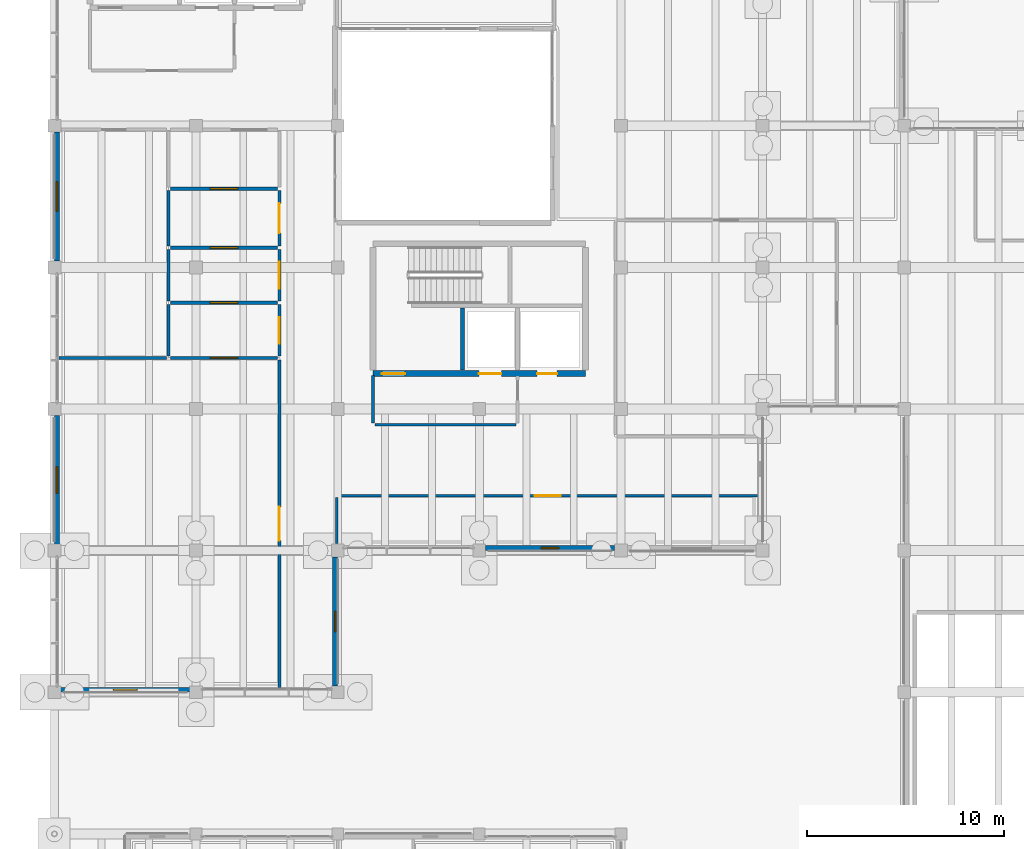
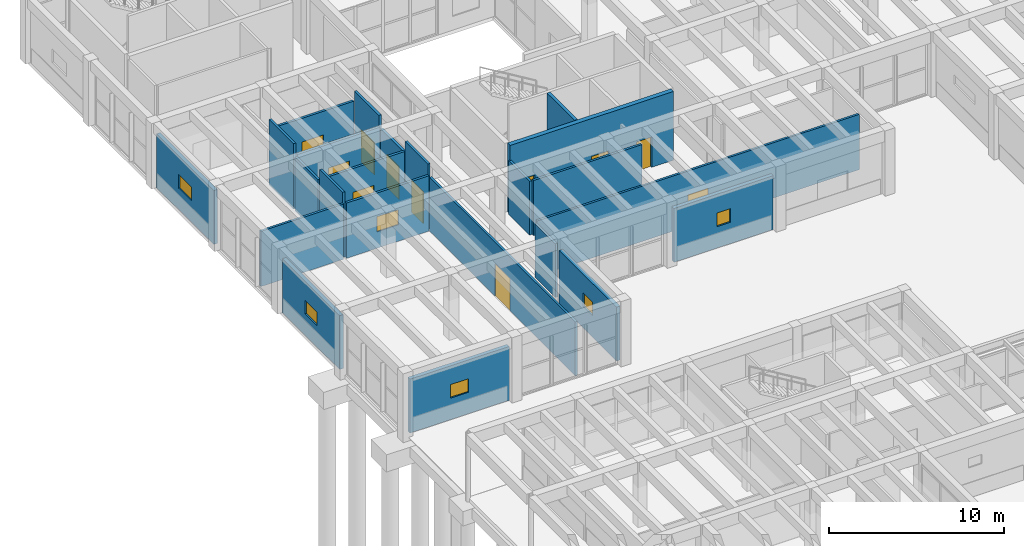
# One storey, part 122 of 155: 23 walls, 9 windows, 8 doors, 17 openings.
"""IFC4 building model written with IfcOpenShell, lengths in metres."""

from ifc_helpers import new_model, si_unit, direction, frame, frame_2d, origin, place, context, subcontext, project, spatial, rectangle, extrude, material, layer, layer_set, type_object, element, fill, save


model = new_model("IFC4")

# Units and contexts
model_context = context("Model", 3, precision=1e-05, world=origin(), true_north=direction((0.0, 1.0)))
body_context = subcontext(model_context, "Body", "Model", "MODEL_VIEW")
ifc_project = project(units=[si_unit("LENGTHUNIT", "METRE"), si_unit("AREAUNIT", "SQUARE_METRE"), si_unit("VOLUMEUNIT", "CUBIC_METRE"), si_unit("PLANEANGLEUNIT", "RADIAN"), si_unit("MASSUNIT", "GRAM", prefix="KILO")], contexts=[model_context])

# Site, building, storey
site_placement = place(None, origin())
site = spatial("IfcSite", under=ifc_project, at=site_placement, CompositionType="ELEMENT")
building_placement = place(site_placement, origin())
building = spatial("IfcBuilding", under=site, at=building_placement, Name="Bramvelor Terrace Health Centre", CompositionType="ELEMENT")
storey_placement = place(building_placement, origin())
storey = spatial("IfcBuildingStorey", under=building, at=storey_placement, Name="L01", CompositionType="ELEMENT", Elevation=0.0)

# Wall, opening, door
ifc_material_1 = material(Name="Fire-rated gypsum and mineral wool", Category="gypsum")
ifc_layer_1 = layer(ifc_material_1, 0.139892578125)
ifc_layer_set_1 = layer_set([ifc_layer_1], Name="Fire-rated gypsum and mineral wool")
wall_type_1 = type_object("IfcWallType", Name="WL-COR-140", PredefinedType="PARTITIONING", material=ifc_layer_set_1)
wall_1_placement = place(storey_placement, frame((11.43994140625, 88.89990234375, 0.0), z_axis=(0.0, 0.0, 1.0), x_axis=(0.0, -1.0, 0.0)))
wall_1 = element("IfcWall", 1, at=wall_1_placement, inside=storey, type_object=wall_type_1, Name="L01 Interior Partition 106", PredefinedType="PARTITIONING", context=body_context, shape_type="SweptSolid", body=[
    extrude(rectangle(XDim=16.669921875, YDim=0.139892578125, at=frame_2d((8.3349609375, 0.0))), origin(), (0.0, 0.0, 1.0), 3.760009765625),
])
opening_1_placement = place(wall_1_placement, frame((7.47509765625, 0.0, 0.0)))
opening_1 = element("IfcOpeningElement", 2, at=opening_1_placement, cuts=wall_1, Name="Opening FD-04", PredefinedType="OPENING", context=body_context, shape_type="SweptSolid", body=[
    extrude(rectangle(XDim=1.719970703125, YDim=2.260009765625, at=frame_2d((0.85986328125, 1.1298828125))), frame((0.0, 0.079833984375, 0.0), z_axis=(0.0, -1.0, 0.0), x_axis=(1.0, 0.0, 0.0)), (0.0, 0.0, 1.0), 0.159912109375),
])
ifc_material_2 = material(Name="Fire-rated steel and vision panel", Category="steel")
door_type_1 = type_object("IfcDoorType", Name="DR-FD90-172", OperationType="DOUBLE_DOOR_SINGLE_SWING", PredefinedType="DOOR", material=ifc_material_2)
door_1_placement = place(opening_1_placement, origin())
door_1 = element("IfcDoor", 3, at=door_1_placement, inside=storey, type_object=door_type_1, Name="L01 General Practice Consultation Suite 1 Fire Door", OperationType="DOUBLE_DOOR_SINGLE_SWING", OverallHeight=2.260009765625, OverallWidth=1.719970703125, PredefinedType="DOOR", context=body_context, shape_type="SweptSolid", body=[
    extrude(rectangle(XDim=1.719970703125, YDim=2.260009765625, at=frame_2d((0.85986328125, 1.1298828125))), frame((0.0, 0.02490234375, 0.0), z_axis=(0.0, -1.0, 0.0), x_axis=(1.0, 0.0, 0.0)), (0.0, 0.0, 1.0), 0.050048828125),
])
fill(opening_1, door_1)

# Wall
wall_2_placement = place(storey_placement, frame((14.35205078125, 79.550048828125, 0.0), z_axis=(0.0, 0.0, 1.0), x_axis=(0.0, 1.0, 0.0)))
element("IfcWall", 4, at=wall_2_placement, inside=storey, type_object=wall_type_1, Name="L01 Interior Partition 107", PredefinedType="PARTITIONING", context=body_context, shape_type="SweptSolid", body=[
    extrude(rectangle(XDim=2.349853515625, YDim=0.139892578125, at=frame_2d((1.1748046875, 0.0))), origin(), (0.0, 0.0, 1.0), 3.760009765625),
])

# Wall, opening, door
wall_3_placement = place(storey_placement, frame((14.44189453125, 81.989990234375, 0.0), z_axis=(0.0, 0.0, 1.0), x_axis=(1.0, 0.0, 0.0)))
wall_3 = element("IfcWall", 5, at=wall_3_placement, inside=storey, type_object=wall_type_1, Name="L01 Interior Partition 108", PredefinedType="PARTITIONING", context=body_context, shape_type="SweptSolid", body=[
    extrude(rectangle(XDim=21.293212890625, YDim=0.139892578125, at=frame_2d((10.646484375, 0.0))), origin(), (0.0, 0.0, 1.0), 3.860107421875),
])
opening_2_placement = place(wall_3_placement, frame((9.986572265625, 0.0, 0.0)))
opening_2 = element("IfcOpeningElement", 6, at=opening_2_placement, cuts=wall_3, Name="Opening FD-05", PredefinedType="OPENING", context=body_context, shape_type="SweptSolid", body=[
    extrude(rectangle(XDim=1.320068359375, YDim=2.199951171875, at=frame_2d((0.66015625, 1.10009765625))), frame((0.0, 0.079833984375, 0.0), z_axis=(0.0, -1.0, 0.0), x_axis=(1.0, 0.0, 0.0)), (0.0, 0.0, 1.0), 0.159912109375),
])
ifc_material_3 = material(Name="Fire-rated steel and vision panel", Category="steel")
door_type_2 = type_object("IfcDoorType", Name="DR-FD60-132", OperationType="NOTDEFINED", PredefinedType="DOOR", material=ifc_material_3)
door_2_placement = place(opening_2_placement, origin())
door_2 = element("IfcDoor", 7, at=door_2_placement, inside=storey, type_object=door_type_2, Name="L01 Family Medicine Treatment Room Fire Door", OperationType="SINGLE_SWING_LEFT", OverallHeight=2.199951171875, OverallWidth=1.320068359375, PredefinedType="DOOR", context=body_context, shape_type="SweptSolid", body=[
    extrude(rectangle(XDim=1.320068359375, YDim=2.199951171875, at=frame_2d((0.66015625, 1.10009765625))), frame((0.0, 0.02490234375, 0.0), z_axis=(0.0, -1.0, 0.0), x_axis=(1.0, 0.0, 0.0)), (0.0, 0.0, 1.0), 0.050048828125),
])
fill(opening_2, door_2)

# Wall
ifc_material_4 = material(Name="Concrete C40/50", Category="concrete")
ifc_layer_2 = layer(ifc_material_4, 0.199951171875)
ifc_layer_set_2 = layer_set([ifc_layer_2], Name="Concrete C40/50")
wall_type_2 = type_object("IfcWallType", Name="WL-CORE-200", PredefinedType="SHEAR", material=ifc_layer_set_2)
wall_4_placement = place(storey_placement, frame((20.75, 88.3798828125, 0.0), z_axis=(0.0, 0.0, 1.0), x_axis=(0.0, 1.0, 0.0)))
element("IfcWall", 8, at=wall_4_placement, inside=storey, type_object=wall_type_2, Name="C2 L01 Core Shear Wall", PredefinedType="SHEAR", context=body_context, shape_type="SweptSolid", body=[
    extrude(rectangle(XDim=3.150146484375, YDim=0.199951171875, at=frame_2d((1.5751953125, 0.0))), origin(), (0.0, 0.0, 1.0), 4.800048828125),
])

# Wall, openings, doors
ifc_material_5 = material(Name="Concrete C40/50", Category="concrete")
ifc_layer_3 = layer(ifc_material_5, 0.300048828125)
ifc_layer_set_3 = layer_set([ifc_layer_3], Name="Concrete C40/50")
wall_type_3 = type_object("IfcWallType", Name="WL-CORE-300", PredefinedType="SHEAR", material=ifc_layer_set_3)
wall_5_placement = place(storey_placement, frame((16.199951171875, 88.199951171875, 0.0), z_axis=(0.0, 0.0, 1.0), x_axis=(1.0, 0.0, 0.0)))
wall_5 = element("IfcWall", 9, at=wall_5_placement, inside=storey, type_object=wall_type_3, Name="C2 L01 Core Shear Wall", PredefinedType="SHEAR", context=body_context, shape_type="SweptSolid", body=[
    extrude(rectangle(XDim=10.800048828125, YDim=0.300048828125, at=frame_2d((5.39990234375, 0.0))), origin(), (0.0, 0.0, 1.0), 4.800048828125),
])
opening_3_placement = place(wall_5_placement, frame((0.449951171875, 0.0, 0.0)))
opening_3 = element("IfcOpeningElement", 10, at=opening_3_placement, cuts=wall_5, Name="Opening FD-02", PredefinedType="OPENING", context=body_context, shape_type="SweptSolid", body=[
    extrude(rectangle(XDim=1.179931640625, YDim=2.159912109375, at=frame_2d((0.58984375, 1.080078125))), frame((0.0, 0.159912109375, 0.0), z_axis=(0.0, -1.0, 0.0), x_axis=(1.0, 0.0, 0.0)), (0.0, 0.0, 1.0), 0.320068359375),
])
opening_4_placement = place(wall_5_placement, frame((5.375, 0.0, 0.0)))
opening_4 = element("IfcOpeningElement", 11, at=opening_4_placement, cuts=wall_5, Name="Opening LD-1", PredefinedType="OPENING", context=body_context, shape_type="SweptSolid", body=[
    extrude(rectangle(XDim=1.14990234375, YDim=2.14990234375, at=frame_2d((0.574951171875, 1.074951171875))), frame((0.0, 0.159912109375, 0.0), z_axis=(0.0, -1.0, 0.0), x_axis=(1.0, 0.0, 0.0)), (0.0, 0.0, 1.0), 0.320068359375),
])
opening_5_placement = place(wall_5_placement, frame((8.340087890625, 0.0, 0.0)))
opening_5 = element("IfcOpeningElement", 12, at=opening_5_placement, cuts=wall_5, Name="Opening LD-2", PredefinedType="OPENING", context=body_context, shape_type="SweptSolid", body=[
    extrude(rectangle(XDim=1.02001953125, YDim=2.1201171875, at=frame_2d((0.510009765625, 1.06005859375))), frame((0.0, 0.159912109375, 0.0), z_axis=(0.0, -1.0, 0.0), x_axis=(1.0, 0.0, 0.0)), (0.0, 0.0, 1.0), 0.320068359375),
])
ifc_material_6 = material(Name="Fire-rated steel and vision panel", Category="steel")
door_type_3 = type_object("IfcDoorType", Name="DR-FD90-118", OperationType="NOTDEFINED", PredefinedType="DOOR", material=ifc_material_6)
door_3_placement = place(opening_3_placement, origin())
door_3 = element("IfcDoor", 13, at=door_3_placement, inside=storey, type_object=door_type_3, Name="C2 L01 Core Stair Fire Door", OperationType="SINGLE_SWING_LEFT", OverallHeight=2.159912109375, OverallWidth=1.179931640625, PredefinedType="DOOR", context=body_context, shape_type="SweptSolid", body=[
    extrude(rectangle(XDim=1.179931640625, YDim=2.159912109375, at=frame_2d((0.58984375, 1.080078125))), frame((0.0, 0.02490234375, 0.0), z_axis=(0.0, -1.0, 0.0), x_axis=(1.0, 0.0, 0.0)), (0.0, 0.0, 1.0), 0.050048828125),
])
fill(opening_3, door_3)
ifc_material_7 = material(Name="Brushed stainless steel 316", Category="steel")
door_type_4 = type_object("IfcDoorType", Name="DR-LIFT-FF115", OperationType="DOUBLE_DOOR_SLIDING", PredefinedType="DOOR", material=ifc_material_7)
door_4_placement = place(opening_4_placement, origin())
door_4 = element("IfcDoor", 14, at=door_4_placement, inside=storey, type_object=door_type_4, Name="Lift LF-02 L01 Sliding Landing Door", OperationType="DOUBLE_DOOR_SLIDING", OverallHeight=2.14990234375, OverallWidth=1.14990234375, PredefinedType="DOOR", context=body_context, shape_type="SweptSolid", body=[
    extrude(rectangle(XDim=1.14990234375, YDim=2.14990234375, at=frame_2d((0.574951171875, 1.074951171875))), frame((0.0, 0.02490234375, 0.0), z_axis=(0.0, -1.0, 0.0), x_axis=(1.0, 0.0, 0.0)), (0.0, 0.0, 1.0), 0.050048828125),
])
fill(opening_4, door_4)
ifc_material_8 = material(Name="Brushed stainless steel 316", Category="steel")
door_type_5 = type_object("IfcDoorType", Name="DR-LIFT-PS102", OperationType="SLIDING_TO_LEFT", PredefinedType="DOOR", material=ifc_material_8)
door_5_placement = place(opening_5_placement, origin())
door_5 = element("IfcDoor", 15, at=door_5_placement, inside=storey, type_object=door_type_5, Name="Lift LP-02 L01 Sliding Landing Door", OperationType="SLIDING_TO_LEFT", OverallHeight=2.1201171875, OverallWidth=1.02001953125, PredefinedType="DOOR", context=body_context, shape_type="SweptSolid", body=[
    extrude(rectangle(XDim=1.02001953125, YDim=2.1201171875, at=frame_2d((0.510009765625, 1.06005859375))), frame((0.0, 0.02490234375, 0.0), z_axis=(0.0, -1.0, 0.0), x_axis=(1.0, 0.0, 0.0)), (0.0, 0.0, 1.0), 0.050048828125),
])
fill(opening_5, door_5)

# Wall, opening, window
ifc_material_9 = material(Name="Precast concrete C40/50", Category="concrete")
ifc_layer_4 = layer(ifc_material_9, 0.25)
ifc_layer_set_4 = layer_set([ifc_layer_4], Name="Precast concrete C40/50")
wall_type_4 = type_object("IfcWallType", Name="WL-EXT-RC250", PredefinedType="SOLIDWALL", material=ifc_layer_set_4)
wall_6_placement = place(storey_placement, frame((28.47998046875, 79.330078125, 0.0), z_axis=(0.0, 0.0, 1.0), x_axis=(-1.0, 0.0, 0.0)))
wall_6 = element("IfcWall", 16, at=wall_6_placement, inside=storey, type_object=wall_type_4, Name="L01 Exterior Facade Wall 31", PredefinedType="SOLIDWALL", context=body_context, shape_type="SweptSolid", body=[
    extrude(rectangle(XDim=6.56005859375, YDim=0.25, at=frame_2d((3.280029296875, 0.0))), origin(), (0.0, 0.0, 1.0), 3.760009765625),
])
opening_6_placement = place(wall_6_placement, frame((2.830078125, 0.0, 1.5)))
opening_6 = element("IfcOpeningElement", 17, at=opening_6_placement, cuts=wall_6, Name="Opening WN-14", PredefinedType="OPENING", context=body_context, shape_type="SweptSolid", body=[
    extrude(rectangle(XDim=0.89990234375, YDim=0.949951171875, at=frame_2d((0.449951171875, 0.47509765625))), frame((0.0, 0.135009765625, 0.0), z_axis=(0.0, -1.0, 0.0), x_axis=(1.0, 0.0, 0.0)), (0.0, 0.0, 1.0), 0.27001953125),
])
ifc_material_10 = material(Name="Double low-E laminated glass", Category="glass")
window_type_1 = type_object("IfcWindowType", Name="WIN-EXT-14", PartitioningType="SINGLE_PANEL", PredefinedType="WINDOW", material=ifc_material_10)
window_1_placement = place(opening_6_placement, origin())
window_1 = element("IfcWindow", 18, at=window_1_placement, inside=storey, type_object=window_type_1, Name="L01 Scheduled Clinical Window 14", OverallHeight=0.949951171875, OverallWidth=0.89990234375, PartitioningType="SINGLE_PANEL", PredefinedType="WINDOW", context=body_context, shape_type="SweptSolid", body=[
    extrude(rectangle(XDim=0.89990234375, YDim=0.949951171875, at=frame_2d((0.449951171875, 0.47509765625))), frame((0.0, 0.030029296875, 0.0), z_axis=(0.0, -1.0, 0.0), x_axis=(1.0, 0.0, 0.0)), (0.0, 0.0, 1.0), 0.06005859375),
])
fill(opening_6, window_1)

wall_7_placement = place(storey_placement, frame((14.27001953125, 78.8798828125, 0.0), z_axis=(0.0, 0.0, 1.0), x_axis=(0.0, -1.0, 0.0)))
wall_7 = element("IfcWall", 19, at=wall_7_placement, inside=storey, type_object=wall_type_4, Name="L01 Exterior Facade Wall 33", PredefinedType="SOLIDWALL", context=body_context, shape_type="SweptSolid", body=[
    extrude(rectangle(XDim=6.559814453125, YDim=0.25, at=frame_2d((3.27978515625, 0.0))), origin(), (0.0, 0.0, 1.0), 3.760009765625),
])
opening_7_placement = place(wall_7_placement, frame((2.7548828125, 0.0, 1.5)))
opening_7 = element("IfcOpeningElement", 20, at=opening_7_placement, cuts=wall_7, Name="Opening WN-15", PredefinedType="OPENING", context=body_context, shape_type="SweptSolid", body=[
    extrude(rectangle(XDim=1.050048828125, YDim=0.949951171875, at=frame_2d((0.52490234375, 0.47509765625))), frame((0.0, 0.135009765625, 0.0), z_axis=(0.0, -1.0, 0.0), x_axis=(1.0, 0.0, 0.0)), (0.0, 0.0, 1.0), 0.27001953125),
])
ifc_material_11 = material(Name="Double low-E laminated glass", Category="glass")
window_type_2 = type_object("IfcWindowType", Name="WIN-EXT-15", PartitioningType="SINGLE_PANEL", PredefinedType="WINDOW", material=ifc_material_11)
window_2_placement = place(opening_7_placement, origin())
window_2 = element("IfcWindow", 21, at=window_2_placement, inside=storey, type_object=window_type_2, Name="L01 Scheduled Clinical Window 15", OverallHeight=0.949951171875, OverallWidth=1.050048828125, PartitioningType="SINGLE_PANEL", PredefinedType="WINDOW", context=body_context, shape_type="SweptSolid", body=[
    extrude(rectangle(XDim=1.050048828125, YDim=0.949951171875, at=frame_2d((0.52490234375, 0.47509765625))), frame((0.0, 0.030029296875, 0.0), z_axis=(0.0, -1.0, 0.0), x_axis=(1.0, 0.0, 0.0)), (0.0, 0.0, 1.0), 0.06005859375),
])
fill(opening_7, window_2)

wall_8_placement = place(storey_placement, frame((6.8798828125, 72.1298828125, 0.0), z_axis=(0.0, 0.0, 1.0), x_axis=(-1.0, 0.0, 0.0)))
wall_8 = element("IfcWall", 22, at=wall_8_placement, inside=storey, type_object=wall_type_4, Name="L01 Exterior Facade Wall 35", PredefinedType="SOLIDWALL", context=body_context, shape_type="SweptSolid", body=[
    extrude(rectangle(XDim=6.559814453125, YDim=0.25, at=frame_2d((3.27978515625, 0.0))), origin(), (0.0, 0.0, 1.0), 3.760009765625),
])
opening_8_placement = place(wall_8_placement, frame((2.679931640625, 0.0, 1.5)))
opening_8 = element("IfcOpeningElement", 23, at=opening_8_placement, cuts=wall_8, Name="Opening WN-16", PredefinedType="OPENING", context=body_context, shape_type="SweptSolid", body=[
    extrude(rectangle(XDim=1.199951171875, YDim=0.949951171875, at=frame_2d((0.60009765625, 0.47509765625))), frame((0.0, 0.135009765625, 0.0), z_axis=(0.0, -1.0, 0.0), x_axis=(1.0, 0.0, 0.0)), (0.0, 0.0, 1.0), 0.27001953125),
])
ifc_material_12 = material(Name="Double low-E laminated glass", Category="glass")
window_type_3 = type_object("IfcWindowType", Name="WIN-EXT-16", PartitioningType="SINGLE_PANEL", PredefinedType="WINDOW", material=ifc_material_12)
window_3_placement = place(opening_8_placement, origin())
window_3 = element("IfcWindow", 24, at=window_3_placement, inside=storey, type_object=window_type_3, Name="L01 Scheduled Clinical Window 16", OverallHeight=0.949951171875, OverallWidth=1.199951171875, PartitioningType="SINGLE_PANEL", PredefinedType="WINDOW", context=body_context, shape_type="SweptSolid", body=[
    extrude(rectangle(XDim=1.199951171875, YDim=0.949951171875, at=frame_2d((0.60009765625, 0.47509765625))), frame((0.0, 0.030029296875, 0.0), z_axis=(0.0, -1.0, 0.0), x_axis=(1.0, 0.0, 0.0)), (0.0, 0.0, 1.0), 0.06005859375),
])
fill(opening_8, window_3)

wall_9_placement = place(storey_placement, frame((0.1298828125, 79.52001953125, 0.0), z_axis=(0.0, 0.0, 1.0), x_axis=(0.0, 1.0, 0.0)))
wall_9 = element("IfcWall", 25, at=wall_9_placement, inside=storey, type_object=wall_type_4, Name="L01 Exterior Facade Wall 37", PredefinedType="SOLIDWALL", context=body_context, shape_type="SweptSolid", body=[
    extrude(rectangle(XDim=6.56005859375, YDim=0.25, at=frame_2d((3.280029296875, 0.0))), origin(), (0.0, 0.0, 1.0), 3.760009765625),
])
opening_9_placement = place(wall_9_placement, frame((2.60498046875, 0.0, 1.5)))
opening_9 = element("IfcOpeningElement", 26, at=opening_9_placement, cuts=wall_9, Name="Opening WN-17", PredefinedType="OPENING", context=body_context, shape_type="SweptSolid", body=[
    extrude(rectangle(XDim=1.35009765625, YDim=0.949951171875, at=frame_2d((0.675048828125, 0.47509765625))), frame((0.0, 0.135009765625, 0.0), z_axis=(0.0, -1.0, 0.0), x_axis=(1.0, 0.0, 0.0)), (0.0, 0.0, 1.0), 0.27001953125),
])
ifc_material_13 = material(Name="Double low-E laminated glass", Category="glass")
window_type_4 = type_object("IfcWindowType", Name="WIN-EXT-17", PartitioningType="SINGLE_PANEL", PredefinedType="WINDOW", material=ifc_material_13)
window_4_placement = place(opening_9_placement, origin())
window_4 = element("IfcWindow", 27, at=window_4_placement, inside=storey, type_object=window_type_4, Name="L01 Scheduled Clinical Window 17", OverallHeight=0.949951171875, OverallWidth=1.35009765625, PartitioningType="SINGLE_PANEL", PredefinedType="WINDOW", context=body_context, shape_type="SweptSolid", body=[
    extrude(rectangle(XDim=1.35009765625, YDim=0.949951171875, at=frame_2d((0.675048828125, 0.47509765625))), frame((0.0, 0.030029296875, 0.0), z_axis=(0.0, -1.0, 0.0), x_axis=(1.0, 0.0, 0.0)), (0.0, 0.0, 1.0), 0.06005859375),
])
fill(opening_9, window_4)

wall_10_placement = place(storey_placement, frame((0.1298828125, 93.919921875, 0.0), z_axis=(0.0, 0.0, 1.0), x_axis=(0.0, 1.0, 0.0)))
wall_10 = element("IfcWall", 28, at=wall_10_placement, inside=storey, type_object=wall_type_4, Name="L01 Exterior Facade Wall 39", PredefinedType="SOLIDWALL", context=body_context, shape_type="SweptSolid", body=[
    extrude(rectangle(XDim=6.56005859375, YDim=0.25, at=frame_2d((3.280029296875, 0.0))), origin(), (0.0, 0.0, 1.0), 3.760009765625),
])
opening_10_placement = place(wall_10_placement, frame((2.530029296875, 0.0, 1.5)))
opening_10 = element("IfcOpeningElement", 29, at=opening_10_placement, cuts=wall_10, Name="Opening WN-18", PredefinedType="OPENING", context=body_context, shape_type="SweptSolid", body=[
    extrude(rectangle(XDim=1.5, YDim=0.949951171875, at=frame_2d((0.75, 0.47509765625))), frame((0.0, 0.135009765625, 0.0), z_axis=(0.0, -1.0, 0.0), x_axis=(1.0, 0.0, 0.0)), (0.0, 0.0, 1.0), 0.27001953125),
])
ifc_material_14 = material(Name="Double low-E laminated glass", Category="glass")
window_type_5 = type_object("IfcWindowType", Name="WIN-EXT-18", PartitioningType="SINGLE_PANEL", PredefinedType="WINDOW", material=ifc_material_14)
window_5_placement = place(opening_10_placement, origin())
window_5 = element("IfcWindow", 30, at=window_5_placement, inside=storey, type_object=window_type_5, Name="L01 Scheduled Clinical Window 18", OverallHeight=0.949951171875, OverallWidth=1.5, PartitioningType="SINGLE_PANEL", PredefinedType="WINDOW", context=body_context, shape_type="SweptSolid", body=[
    extrude(rectangle(XDim=1.5, YDim=0.949951171875, at=frame_2d((0.75, 0.47509765625))), frame((0.0, 0.030029296875, 0.0), z_axis=(0.0, -1.0, 0.0), x_axis=(1.0, 0.0, 0.0)), (0.0, 0.0, 1.0), 0.06005859375),
])
fill(opening_10, window_5)

# Walls
ifc_material_15 = material(Name="Fire-rated gypsum and mineral wool", Category="gypsum")
ifc_layer_5 = layer(ifc_material_15, 0.14990234375)
ifc_layer_set_5 = layer_set([ifc_layer_5], Name="Fire-rated gypsum and mineral wool")
wall_type_5 = type_object("IfcWallType", Name="WL-FIR-150", PredefinedType="PARTITIONING", material=ifc_layer_set_5)
wall_11_placement = place(storey_placement, frame((16.199951171875, 85.68994140625, 0.0), z_axis=(0.0, 0.0, 1.0), x_axis=(0.0, 1.0, 0.0)))
element("IfcWall", 31, at=wall_11_placement, inside=storey, type_object=wall_type_5, Name="L01 Interior Partition 49", PredefinedType="PARTITIONING", context=body_context, shape_type="SweptSolid", body=[
    extrude(rectangle(XDim=2.4150390625, YDim=0.14990234375, at=frame_2d((1.20751953125, 0.0))), origin(), (0.0, 0.0, 1.0), 3.760009765625),
])
wall_12_placement = place(storey_placement, frame((23.4599609375, 85.60009765625, 0.0), z_axis=(0.0, 0.0, 1.0), x_axis=(-1.0, 0.0, 0.0)))
element("IfcWall", 32, at=wall_12_placement, inside=storey, type_object=wall_type_5, Name="L01 Interior Partition 51", PredefinedType="PARTITIONING", context=body_context, shape_type="SweptSolid", body=[
    extrude(rectangle(XDim=7.169921875, YDim=0.14990234375, at=frame_2d((3.5849609375, 0.0))), origin(), (0.0, 0.0, 1.0), 3.860107421875),
])
wall_13_placement = place(storey_placement, frame((5.800048828125, 94.68994140625, 0.0), z_axis=(0.0, 0.0, 1.0), x_axis=(0.0, 1.0, 0.0)))
element("IfcWall", 33, at=wall_13_placement, inside=storey, type_object=wall_type_5, Name="L01 Interior Partition 68", PredefinedType="PARTITIONING", context=body_context, shape_type="SweptSolid", body=[
    extrude(rectangle(XDim=2.81005859375, YDim=0.14990234375, at=frame_2d((1.405029296875, 0.0))), origin(), (0.0, 0.0, 1.0), 4.570068359375),
])
wall_14_placement = place(storey_placement, frame((5.800048828125, 91.889892578125, 0.0), z_axis=(0.0, 0.0, 1.0), x_axis=(0.0, 1.0, 0.0)))
element("IfcWall", 34, at=wall_14_placement, inside=storey, type_object=wall_type_5, Name="L01 Interior Partition 71", PredefinedType="PARTITIONING", context=body_context, shape_type="SweptSolid", body=[
    extrude(rectangle(XDim=2.610107421875, YDim=0.14990234375, at=frame_2d((1.30517578125, 0.0))), origin(), (0.0, 0.0, 1.0), 3.760009765625),
])
wall_15_placement = place(storey_placement, frame((5.800048828125, 89.090087890625, 0.0), z_axis=(0.0, 0.0, 1.0), x_axis=(0.0, 1.0, 0.0)))
element("IfcWall", 35, at=wall_15_placement, inside=storey, type_object=wall_type_5, Name="L01 Interior Partition 74", PredefinedType="PARTITIONING", context=body_context, shape_type="SweptSolid", body=[
    extrude(rectangle(XDim=2.60986328125, YDim=0.14990234375, at=frame_2d((1.304931640625, 0.0))), origin(), (0.0, 0.0, 1.0), 4.570068359375),
])
wall_16_placement = place(storey_placement, frame((5.699951171875, 89.0, 0.0), z_axis=(0.0, 0.0, 1.0), x_axis=(-1.0, 0.0, 0.0)))
element("IfcWall", 36, at=wall_16_placement, inside=storey, type_object=wall_type_5, Name="L01 Interior Partition 76", PredefinedType="PARTITIONING", context=body_context, shape_type="SweptSolid", body=[
    extrude(rectangle(XDim=5.469970703125, YDim=0.14990234375, at=frame_2d((2.73486328125, 0.0))), origin(), (0.0, 0.0, 1.0), 3.860107421875),
])

# Wall, opening, window
ifc_material_16 = material(Name="Moisture-resistant service chase board", Category="gypsum")
ifc_layer_6 = layer(ifc_material_16, 0.159912109375)
ifc_layer_set_6 = layer_set([ifc_layer_6], Name="Moisture-resistant service chase board")
wall_type_6 = type_object("IfcWallType", Name="WL-PLM-160", PredefinedType="PLUMBINGWALL", material=ifc_layer_set_6)
wall_17_placement = place(storey_placement, frame((11.35009765625, 97.60009765625, 0.0), z_axis=(0.0, 0.0, 1.0), x_axis=(-1.0, 0.0, 0.0)))
wall_17 = element("IfcWall", 37, at=wall_17_placement, inside=storey, type_object=wall_type_6, Name="L01 Interior Partition 64", PredefinedType="PLUMBINGWALL", context=body_context, shape_type="SweptSolid", body=[
    extrude(rectangle(XDim=5.460205078125, YDim=0.159912109375, at=frame_2d((2.72998046875, 0.0))), origin(), (0.0, 0.0, 1.0), 3.860107421875),
])
opening_11_placement = place(wall_17_placement, frame((2.030029296875, 0.0, 1.14990234375)))
opening_11 = element("IfcOpeningElement", 38, at=opening_11_placement, cuts=wall_17, Name="Opening IWN-1", PredefinedType="OPENING", context=body_context, shape_type="SweptSolid", body=[
    extrude(rectangle(XDim=1.39990234375, YDim=1.050048828125, at=frame_2d((0.699951171875, 0.52490234375))), frame((0.0, 0.08984375, 0.0), z_axis=(0.0, -1.0, 0.0), x_axis=(1.0, 0.0, 0.0)), (0.0, 0.0, 1.0), 0.179931640625),
])
ifc_material_17 = material(Name="Acoustic laminated observation glass", Category="glass")
window_type_6 = type_object("IfcWindowType", Name="WIN-INT-OBS140", PartitioningType="SINGLE_PANEL", PredefinedType="WINDOW", material=ifc_material_17)
window_6_placement = place(opening_11_placement, origin())
window_6 = element("IfcWindow", 39, at=window_6_placement, inside=storey, type_object=window_type_6, Name="L01 Clinical Observation Window 5", OverallHeight=1.050048828125, OverallWidth=1.39990234375, PartitioningType="SINGLE_PANEL", PredefinedType="WINDOW", context=body_context, shape_type="SweptSolid", body=[
    extrude(rectangle(XDim=1.39990234375, YDim=1.050048828125, at=frame_2d((0.699951171875, 0.52490234375))), frame((0.0, 0.030029296875, 0.0), z_axis=(0.0, -1.0, 0.0), x_axis=(1.0, 0.0, 0.0)), (0.0, 0.0, 1.0), 0.06005859375),
])
fill(opening_11, window_6)

# Wall, opening, door
wall_18_placement = place(storey_placement, frame((11.43994140625, 97.5, 0.0), z_axis=(0.0, 0.0, 1.0), x_axis=(0.0, -1.0, 0.0)))
wall_18 = element("IfcWall", 40, at=wall_18_placement, inside=storey, type_object=wall_type_6, Name="L01 Interior Partition 66", PredefinedType="PLUMBINGWALL", context=body_context, shape_type="SweptSolid", body=[
    extrude(rectangle(XDim=2.81005859375, YDim=0.159912109375, at=frame_2d((1.405029296875, 0.0))), origin(), (0.0, 0.0, 1.0), 4.570068359375),
])
opening_12_placement = place(wall_18_placement, frame((0.64501953125, 0.0, 0.0)))
opening_12 = element("IfcOpeningElement", 41, at=opening_12_placement, cuts=wall_18, Name="Opening ID-DB3", PredefinedType="OPENING", context=body_context, shape_type="SweptSolid", body=[
    extrude(rectangle(XDim=1.52001953125, YDim=2.260009765625, at=frame_2d((0.760009765625, 1.1298828125))), frame((0.0, 0.08984375, 0.0), z_axis=(0.0, -1.0, 0.0), x_axis=(1.0, 0.0, 0.0)), (0.0, 0.0, 1.0), 0.179931640625),
])
ifc_material_18 = material(Name="Solid-core acoustic timber laminate", Category="wood")
door_type_6 = type_object("IfcDoorType", Name="DR-DBL-152", OperationType="DOUBLE_DOOR_SINGLE_SWING", PredefinedType="DOOR", material=ifc_material_18)
door_6_placement = place(opening_12_placement, origin())
door_6 = element("IfcDoor", 42, at=door_6_placement, inside=storey, type_object=door_type_6, Name="L01 Accessible Female WC Clinical Door", OperationType="DOUBLE_DOOR_SINGLE_SWING", OverallHeight=2.260009765625, OverallWidth=1.52001953125, PredefinedType="DOOR", context=body_context, shape_type="SweptSolid", body=[
    extrude(rectangle(XDim=1.52001953125, YDim=2.260009765625, at=frame_2d((0.760009765625, 1.1298828125))), frame((0.0, 0.02490234375, 0.0), z_axis=(0.0, -1.0, 0.0), x_axis=(1.0, 0.0, 0.0)), (0.0, 0.0, 1.0), 0.050048828125),
])
fill(opening_12, door_6)

# Wall, opening, window
wall_19_placement = place(storey_placement, frame((11.35009765625, 94.60009765625, 0.0), z_axis=(0.0, 0.0, 1.0), x_axis=(-1.0, 0.0, 0.0)))
wall_19 = element("IfcWall", 43, at=wall_19_placement, inside=storey, type_object=wall_type_6, Name="L01 Interior Partition 67", PredefinedType="PLUMBINGWALL", context=body_context, shape_type="SweptSolid", body=[
    extrude(rectangle(XDim=5.460205078125, YDim=0.159912109375, at=frame_2d((2.72998046875, 0.0))), origin(), (0.0, 0.0, 1.0), 3.860107421875),
])
opening_13_placement = place(wall_19_placement, frame((2.030029296875, 0.0, 1.14990234375)))
opening_13 = element("IfcOpeningElement", 44, at=opening_13_placement, cuts=wall_19, Name="Opening IWN-1", PredefinedType="OPENING", context=body_context, shape_type="SweptSolid", body=[
    extrude(rectangle(XDim=1.39990234375, YDim=1.050048828125, at=frame_2d((0.699951171875, 0.52490234375))), frame((0.0, 0.08984375, 0.0), z_axis=(0.0, -1.0, 0.0), x_axis=(1.0, 0.0, 0.0)), (0.0, 0.0, 1.0), 0.179931640625),
])
window_7_placement = place(opening_13_placement, origin())
window_7 = element("IfcWindow", 45, at=window_7_placement, inside=storey, type_object=window_type_6, Name="L01 Clinical Observation Window 6", OverallHeight=1.050048828125, OverallWidth=1.39990234375, PartitioningType="SINGLE_PANEL", PredefinedType="WINDOW", context=body_context, shape_type="SweptSolid", body=[
    extrude(rectangle(XDim=1.39990234375, YDim=1.050048828125, at=frame_2d((0.699951171875, 0.52490234375))), frame((0.0, 0.030029296875, 0.0), z_axis=(0.0, -1.0, 0.0), x_axis=(1.0, 0.0, 0.0)), (0.0, 0.0, 1.0), 0.06005859375),
])
fill(opening_13, window_7)

# Wall, opening, door
wall_20_placement = place(storey_placement, frame((11.43994140625, 94.5, 0.0), z_axis=(0.0, 0.0, 1.0), x_axis=(0.0, -1.0, 0.0)))
wall_20 = element("IfcWall", 46, at=wall_20_placement, inside=storey, type_object=wall_type_6, Name="L01 Interior Partition 69", PredefinedType="PLUMBINGWALL", context=body_context, shape_type="SweptSolid", body=[
    extrude(rectangle(XDim=2.610107421875, YDim=0.159912109375, at=frame_2d((1.30517578125, 0.0))), origin(), (0.0, 0.0, 1.0), 3.760009765625),
])
opening_14_placement = place(wall_20_placement, frame((0.614990234375, 0.0, 0.0)))
opening_14 = element("IfcOpeningElement", 47, at=opening_14_placement, cuts=wall_20, Name="Opening ID-C01", PredefinedType="OPENING", context=body_context, shape_type="SweptSolid", body=[
    extrude(rectangle(XDim=1.3798828125, YDim=2.320068359375, at=frame_2d((0.68994140625, 1.16015625))), frame((0.0, 0.08984375, 0.0), z_axis=(0.0, -1.0, 0.0), x_axis=(1.0, 0.0, 0.0)), (0.0, 0.0, 1.0), 0.179931640625),
])
ifc_material_19 = material(Name="Solid-core acoustic timber laminate", Category="wood")
door_type_7 = type_object("IfcDoorType", Name="DR-CLN-01", OperationType="NOTDEFINED", PredefinedType="DOOR", material=ifc_material_19)
door_7_placement = place(opening_14_placement, origin())
door_7 = element("IfcDoor", 48, at=door_7_placement, inside=storey, type_object=door_type_7, Name="L01 Public Male WC Clinical Door", OperationType="SINGLE_SWING_LEFT", OverallHeight=2.320068359375, OverallWidth=1.3798828125, PredefinedType="DOOR", context=body_context, shape_type="SweptSolid", body=[
    extrude(rectangle(XDim=1.3798828125, YDim=2.320068359375, at=frame_2d((0.68994140625, 1.16015625))), frame((0.0, 0.02490234375, 0.0), z_axis=(0.0, -1.0, 0.0), x_axis=(1.0, 0.0, 0.0)), (0.0, 0.0, 1.0), 0.050048828125),
])
fill(opening_14, door_7)

# Wall, opening, window
wall_21_placement = place(storey_placement, frame((11.35009765625, 91.800048828125, 0.0), z_axis=(0.0, 0.0, 1.0), x_axis=(-1.0, 0.0, 0.0)))
wall_21 = element("IfcWall", 49, at=wall_21_placement, inside=storey, type_object=wall_type_6, Name="L01 Interior Partition 70", PredefinedType="PLUMBINGWALL", context=body_context, shape_type="SweptSolid", body=[
    extrude(rectangle(XDim=5.460205078125, YDim=0.159912109375, at=frame_2d((2.72998046875, 0.0))), origin(), (0.0, 0.0, 1.0), 3.860107421875),
])
opening_15_placement = place(wall_21_placement, frame((2.030029296875, 0.0, 1.14990234375)))
opening_15 = element("IfcOpeningElement", 50, at=opening_15_placement, cuts=wall_21, Name="Opening IWN-1", PredefinedType="OPENING", context=body_context, shape_type="SweptSolid", body=[
    extrude(rectangle(XDim=1.39990234375, YDim=1.050048828125, at=frame_2d((0.699951171875, 0.52490234375))), frame((0.0, 0.08984375, 0.0), z_axis=(0.0, -1.0, 0.0), x_axis=(1.0, 0.0, 0.0)), (0.0, 0.0, 1.0), 0.179931640625),
])
window_8_placement = place(opening_15_placement, origin())
window_8 = element("IfcWindow", 51, at=window_8_placement, inside=storey, type_object=window_type_6, Name="L01 Clinical Observation Window 7", OverallHeight=1.050048828125, OverallWidth=1.39990234375, PartitioningType="SINGLE_PANEL", PredefinedType="WINDOW", context=body_context, shape_type="SweptSolid", body=[
    extrude(rectangle(XDim=1.39990234375, YDim=1.050048828125, at=frame_2d((0.699951171875, 0.52490234375))), frame((0.0, 0.030029296875, 0.0), z_axis=(0.0, -1.0, 0.0), x_axis=(1.0, 0.0, 0.0)), (0.0, 0.0, 1.0), 0.06005859375),
])
fill(opening_15, window_8)

# Wall, opening, door
wall_22_placement = place(storey_placement, frame((11.43994140625, 91.699951171875, 0.0), z_axis=(0.0, 0.0, 1.0), x_axis=(0.0, -1.0, 0.0)))
wall_22 = element("IfcWall", 52, at=wall_22_placement, inside=storey, type_object=wall_type_6, Name="L01 Interior Partition 72", PredefinedType="PLUMBINGWALL", context=body_context, shape_type="SweptSolid", body=[
    extrude(rectangle(XDim=2.60986328125, YDim=0.159912109375, at=frame_2d((1.304931640625, 0.0))), origin(), (0.0, 0.0, 1.0), 4.570068359375),
])
opening_16_placement = place(wall_22_placement, frame((0.635009765625, 0.0, 0.0)))
opening_16 = element("IfcOpeningElement", 53, at=opening_16_placement, cuts=wall_22, Name="Opening ID-C02", PredefinedType="OPENING", context=body_context, shape_type="SweptSolid", body=[
    extrude(rectangle(XDim=1.340087890625, YDim=2.239990234375, at=frame_2d((0.669921875, 1.1201171875))), frame((0.0, 0.08984375, 0.0), z_axis=(0.0, -1.0, 0.0), x_axis=(1.0, 0.0, 0.0)), (0.0, 0.0, 1.0), 0.179931640625),
])
ifc_material_20 = material(Name="Solid-core acoustic timber laminate", Category="wood")
door_type_8 = type_object("IfcDoorType", Name="DR-CLN-02", OperationType="NOTDEFINED", PredefinedType="DOOR", material=ifc_material_20)
door_8_placement = place(opening_16_placement, origin())
door_8 = element("IfcDoor", 54, at=door_8_placement, inside=storey, type_object=door_type_8, Name="L01 Public Female WC Clinical Door", OperationType="SINGLE_SWING_RIGHT", OverallHeight=2.239990234375, OverallWidth=1.340087890625, PredefinedType="DOOR", context=body_context, shape_type="SweptSolid", body=[
    extrude(rectangle(XDim=1.340087890625, YDim=2.239990234375, at=frame_2d((0.669921875, 1.1201171875))), frame((0.0, 0.02490234375, 0.0), z_axis=(0.0, -1.0, 0.0), x_axis=(1.0, 0.0, 0.0)), (0.0, 0.0, 1.0), 0.050048828125),
])
fill(opening_16, door_8)

# Wall, opening, window
wall_23_placement = place(storey_placement, frame((11.35009765625, 89.0, 0.0), z_axis=(0.0, 0.0, 1.0), x_axis=(-1.0, 0.0, 0.0)))
wall_23 = element("IfcWall", 55, at=wall_23_placement, inside=storey, type_object=wall_type_6, Name="L01 Interior Partition 73", PredefinedType="PLUMBINGWALL", context=body_context, shape_type="SweptSolid", body=[
    extrude(rectangle(XDim=5.460205078125, YDim=0.159912109375, at=frame_2d((2.72998046875, 0.0))), origin(), (0.0, 0.0, 1.0), 3.860107421875),
])
opening_17_placement = place(wall_23_placement, frame((2.030029296875, 0.0, 1.14990234375)))
opening_17 = element("IfcOpeningElement", 56, at=opening_17_placement, cuts=wall_23, Name="Opening IWN-1", PredefinedType="OPENING", context=body_context, shape_type="SweptSolid", body=[
    extrude(rectangle(XDim=1.39990234375, YDim=1.050048828125, at=frame_2d((0.699951171875, 0.52490234375))), frame((0.0, 0.08984375, 0.0), z_axis=(0.0, -1.0, 0.0), x_axis=(1.0, 0.0, 0.0)), (0.0, 0.0, 1.0), 0.179931640625),
])
window_9_placement = place(opening_17_placement, origin())
window_9 = element("IfcWindow", 57, at=window_9_placement, inside=storey, type_object=window_type_6, Name="L01 Clinical Observation Window 8", OverallHeight=1.050048828125, OverallWidth=1.39990234375, PartitioningType="SINGLE_PANEL", PredefinedType="WINDOW", context=body_context, shape_type="SweptSolid", body=[
    extrude(rectangle(XDim=1.39990234375, YDim=1.050048828125, at=frame_2d((0.699951171875, 0.52490234375))), frame((0.0, 0.030029296875, 0.0), z_axis=(0.0, -1.0, 0.0), x_axis=(1.0, 0.0, 0.0)), (0.0, 0.0, 1.0), 0.06005859375),
])
fill(opening_17, window_9)

save(model, "model.ifc")
